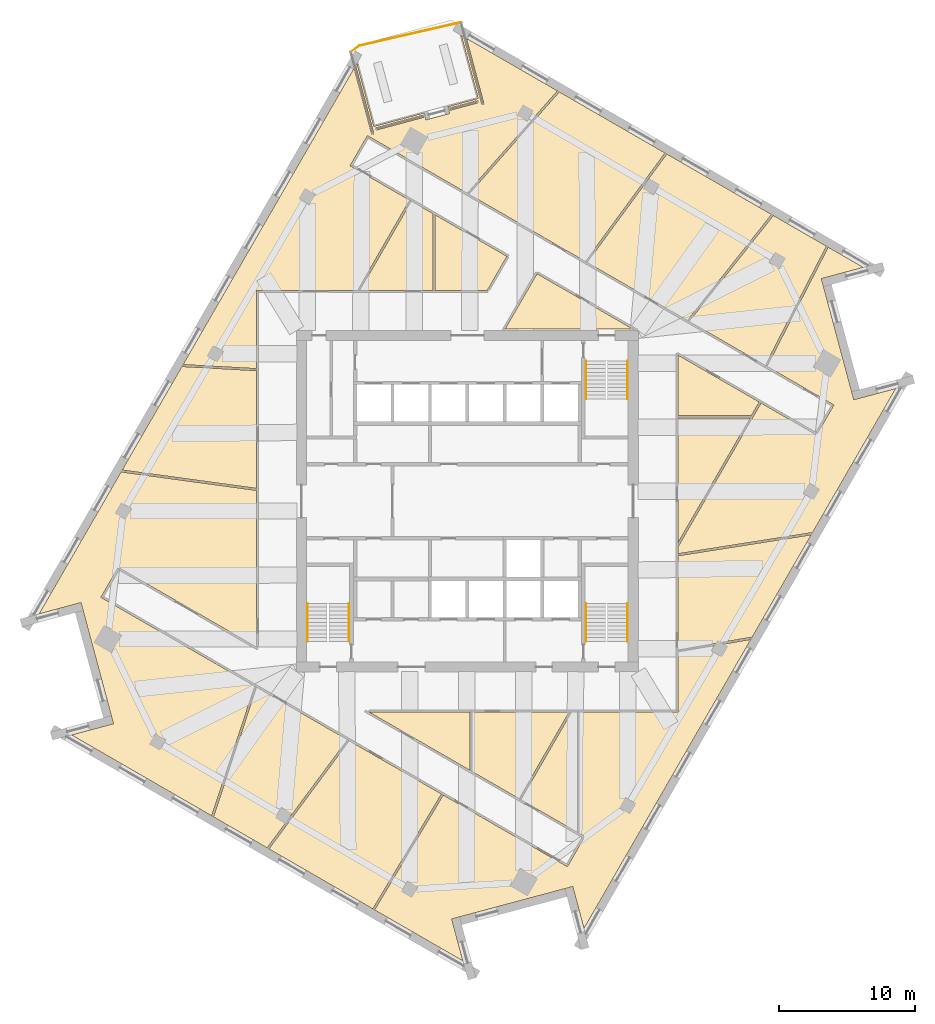
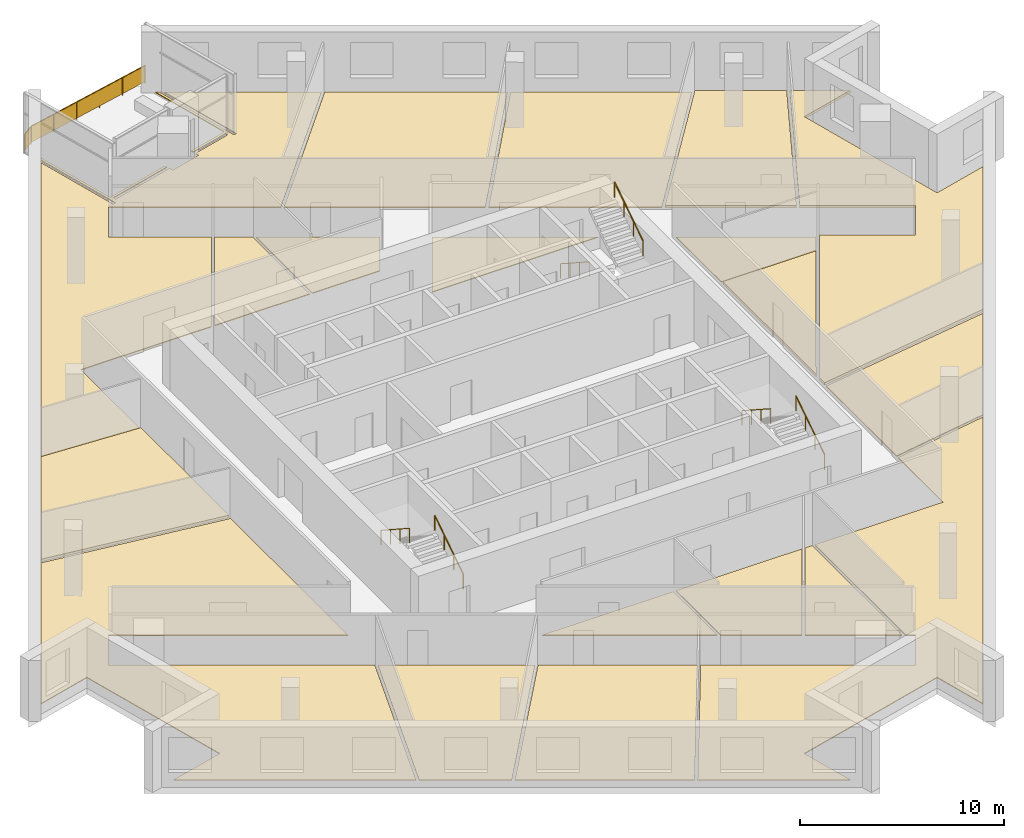
# One storey, part 12 of 13: 19 coverings, 7 railings.
"""IFC4 building model written with IfcOpenShell, lengths in metres."""

import ifcopenshell
import ifcopenshell.guid

model = None  # the IFC model being written
_history = None  # IfcOwnerHistory: only IFC2X3 demands one
_inside = {}  # id of a spatial element -> (the spatial element, [elements in it])
_under = {}  # id of a project, library or spatial element -> (it, [spatial elements below it])
_declared = {}  # id of a project -> (the project, [libraries it declares])
_typed = {}  # id of a type object -> (the type object, [elements of that type])
_made_of = {}  # id of a material, layer set ... -> (it, [elements and type objects made of it])


def new_model(schema):
    """Start an empty IFC model of exactly this schema.

    Asked for "IFC4X3", IfcOpenShell would pick the latest addendum, in which some entities
    have other attributes; the version numbers below select the first issue.
    IFC2X3 requires an IfcOwnerHistory on every rooted entity: one is made here for all.
    """
    global model, _history
    if schema == "IFC4X3":
        model = ifcopenshell.file(schema_version=(4, 3, 0, 0))
    else:
        model = ifcopenshell.file(schema=schema)
    _inside.clear()
    _under.clear()
    _declared.clear()
    _typed.clear()
    _made_of.clear()
    _history = None
    if model.schema == "IFC2X3":
        org = make("IfcOrganization", Name="unknown")
        user = make(
            "IfcPersonAndOrganization",
            ThePerson=make("IfcPerson", FamilyName="unknown"),
            TheOrganization=org,
        )
        app = make(
            "IfcApplication",
            ApplicationDeveloper=org,
            Version="unknown",
            ApplicationFullName="unknown",
            ApplicationIdentifier="unknown",
        )
        _history = make(
            "IfcOwnerHistory",
            OwningUser=user,
            OwningApplication=app,
            ChangeAction="ADDED",
            CreationDate=0,
        )
    return model


def make(cls, **values):
    """One entity of the class cls with the attributes given. An attribute that is None is left unset."""
    return model.create_entity(
        cls, **{name: value for name, value in values.items() if value is not None}
    )


def rooted(cls, **values):
    """An entity with a GlobalId (a new one), such as an element, a storey or a relation."""
    return make(cls, GlobalId=ifcopenshell.guid.new(), OwnerHistory=_history, **values)


def si_unit(unit_type, name, prefix=None):
    """IfcSIUnit, for example si_unit("LENGTHUNIT", "METRE", prefix="MILLI")."""
    return make("IfcSIUnit", UnitType=unit_type, Prefix=prefix, Name=name)


def assignment(units):
    """IfcUnitAssignment: the units of a project."""
    return None if units is None else make("IfcUnitAssignment", Units=units)


def point(xyz):
    """IfcCartesianPoint."""
    return None if xyz is None else make("IfcCartesianPoint", Coordinates=xyz)


def direction(xyz):
    """IfcDirection."""
    return None if xyz is None else make("IfcDirection", DirectionRatios=xyz)


def frame(location, z_axis=None, x_axis=None):
    """IfcAxis2Placement3D, a coordinate frame: its origin and axes. An axis left out is left unset."""
    return make(
        "IfcAxis2Placement3D",
        Location=point(location),
        Axis=direction(z_axis),
        RefDirection=direction(x_axis),
    )


def frame_2d(location, x_axis=None):
    """IfcAxis2Placement2D, a coordinate frame in the plane: its origin and x axis."""
    return make(
        "IfcAxis2Placement2D", Location=point(location), RefDirection=direction(x_axis)
    )


def origin():
    """The frame at (0, 0, 0) with its axes left unset."""
    return frame((0.0, 0.0, 0.0))


def origin_2d():
    """The frame at (0, 0) in the plane with its x axis left unset."""
    return frame_2d((0.0, 0.0))


def place(relative_to, where):
    """IfcLocalPlacement: puts the frame where relative to a parent placement (None: the world)."""
    return make(
        "IfcLocalPlacement", PlacementRelTo=relative_to, RelativePlacement=where
    )


def context(
    kind, dimensions, precision=None, world=None, true_north=None, identifier=None
):
    """IfcGeometricRepresentationContext, for example the 3D "Model" context."""
    return make(
        "IfcGeometricRepresentationContext",
        ContextIdentifier=identifier,
        ContextType=kind,
        CoordinateSpaceDimension=dimensions,
        Precision=precision,
        WorldCoordinateSystem=world,
        TrueNorth=true_north,
    )


def subcontext(parent, identifier, kind, view, scale=None):
    """IfcGeometricRepresentationSubContext, for example "Body" below "Model"."""
    return make(
        "IfcGeometricRepresentationSubContext",
        ContextIdentifier=identifier,
        ContextType=kind,
        ParentContext=parent,
        TargetScale=scale,
        TargetView=view,
    )


def project(units=None, contexts=None):
    """IfcProject with its units and contexts."""
    return rooted(
        "IfcProject",
        Name="project",
        RepresentationContexts=contexts,
        UnitsInContext=assignment(units),
    )


def spatial(cls, under=None, at=None, **own):
    """A site, building, storey or space (cls), placed at a placement, below another one or the project."""
    s = rooted(cls, ObjectPlacement=at, **own)
    if under is not None:
        _under.setdefault(under.id(), (under, []))[1].append(s)
    return s


def polyline(points):
    """IfcPolyline through the points."""
    return make("IfcPolyline", Points=[point(p) for p in points])


def profile(cls, at=None, kind="AREA", **sizes):
    """A parametric profile (cls). Its sizes go by their IFC names, for example OverallWidth=200.0."""
    return make(cls, ProfileType=kind, Position=at, **sizes)


def rectangle(**sizes):
    """IfcRectangleProfileDef."""
    return profile("IfcRectangleProfileDef", **sizes)


def circle(**sizes):
    """IfcCircleProfileDef."""
    return profile("IfcCircleProfileDef", **sizes)


def outline(outer, holes=None, kind="AREA"):
    """IfcArbitraryClosedProfileDef: a profile drawn as a closed curve; with holes, ...WithVoids."""
    if holes is None:
        return make("IfcArbitraryClosedProfileDef", ProfileType=kind, OuterCurve=outer)
    return make(
        "IfcArbitraryProfileDefWithVoids",
        ProfileType=kind,
        OuterCurve=outer,
        InnerCurves=holes,
    )


def extrude(swept, where, along, depth):
    """IfcExtrudedAreaSolid: the profile swept, set in the frame where, extruded along a direction by depth."""
    return make(
        "IfcExtrudedAreaSolid",
        SweptArea=swept,
        Position=where,
        ExtrudedDirection=direction(along),
        Depth=depth,
    )


def shape(context_of_items, identifier, shape_type, items):
    """IfcShapeRepresentation: the items that make up one representation, for example the "Body"."""
    return make(
        "IfcShapeRepresentation",
        ContextOfItems=context_of_items,
        RepresentationIdentifier=identifier,
        RepresentationType=shape_type,
        Items=items,
    )


def material(Name=None, Category=None):
    """IfcMaterial."""
    return make("IfcMaterial", Name=Name, Category=Category)


def layer(
    of_material, thickness, ventilated=None, Name=None, Category=None, Priority=None
):
    """IfcMaterialLayer: one layer of a wall or slab, of a material (None: an air gap)."""
    return make(
        "IfcMaterialLayer",
        Material=of_material,
        LayerThickness=thickness,
        IsVentilated=ventilated,
        Name=Name,
        Category=Category,
        Priority=Priority,
    )


def layer_set(layers, Name=None):
    """IfcMaterialLayerSet."""
    return make("IfcMaterialLayerSet", MaterialLayers=layers, LayerSetName=Name)


def made_of(thing, what):
    """Note that an element or type object is made of a material, layer set ...; save() writes the relation."""
    if what is not None:
        _made_of.setdefault(what.id(), (what, []))[1].append(thing)
    return thing


def type_object(cls, material=None, **own):
    """A type object (cls), such as IfcWallType, which elements share."""
    return made_of(rooted(cls, **own), material)


def element(
    cls,
    number,
    at=None,
    inside=None,
    cuts=None,
    type_object=None,
    material=None,
    context=None,
    identifier="Body",
    shape_type=None,
    held_by="IfcProductDefinitionShape",
    body=None,
    shapes=None,
    **own,
):
    """One element of the class cls, such as IfcWall. Its Tag is "e" and its number.

    at: its placement. inside: the storey or other place that contains it. cuts: it is an
    opening in that element (IfcRelVoidsElement). A single representation is given by context,
    identifier, shape_type and body (its items); several are given by shapes. held_by: the class
    of the entity that holds the representations. save() writes the other relations.
    """
    e = rooted(cls, Tag="e%d" % number, ObjectPlacement=at, **own)
    if body is not None:
        shapes = [shape(context, identifier, shape_type, body)]
    if shapes is not None:
        e.Representation = make(held_by, Representations=shapes)
    if inside is not None:
        _inside.setdefault(inside.id(), (inside, []))[1].append(e)
    if cuts is not None:
        rooted(
            "IfcRelVoidsElement", RelatingBuildingElement=cuts, RelatedOpeningElement=e
        )
    if type_object is not None:
        _typed.setdefault(type_object.id(), (type_object, []))[1].append(e)
    return made_of(e, material)


def aggregate(whole, parts):
    """IfcRelAggregates: a whole, such as a stair, and the parts it consists of."""
    return rooted("IfcRelAggregates", RelatingObject=whole, RelatedObjects=parts)


def save(model, path):
    """Write the relations noted so far, then the file.

    IfcRelAggregates (storeys below a building ...), IfcRelContainedInSpatialStructure (elements
    in a storey), IfcRelDefinesByType, IfcRelAssociatesMaterial and IfcRelDeclares: one each for
    every whole, place, type object, material and project.
    """
    for whole, parts in _under.values():
        aggregate(whole, parts)
    for where, things in _inside.values():
        rooted(
            "IfcRelContainedInSpatialStructure",
            RelatedElements=things,
            RelatingStructure=where,
        )
    for kind, things in _typed.values():
        rooted("IfcRelDefinesByType", RelatedObjects=things, RelatingType=kind)
    for what, things in _made_of.values():
        rooted("IfcRelAssociatesMaterial", RelatedObjects=things, RelatingMaterial=what)
    for by, libraries in _declared.values():
        rooted("IfcRelDeclares", RelatingContext=by, RelatedDefinitions=libraries)
    model.write(path)


model = new_model("IFC4")

# Units and contexts
model_context = context("Model", 3, precision=1e-05, world=origin(), true_north=direction((0.0, 1.0)))
body_context = subcontext(model_context, "Body", "Model", "MODEL_VIEW")
ifc_project = project(units=[si_unit("LENGTHUNIT", "METRE"), si_unit("AREAUNIT", "SQUARE_METRE"), si_unit("VOLUMEUNIT", "CUBIC_METRE"), si_unit("PLANEANGLEUNIT", "RADIAN"), si_unit("MASSUNIT", "GRAM", prefix="KILO")], contexts=[model_context])

# Site, building, storey
site_placement = place(None, origin())
site = spatial("IfcSite", under=ifc_project, at=site_placement, CompositionType="ELEMENT")
building_placement = place(site_placement, origin())
building = spatial("IfcBuilding", under=site, at=building_placement, Name="Dilmun Exchange Tower", CompositionType="ELEMENT")
storey_placement = place(building_placement, frame((0.0, 0.0, 262.89990234375)))
storey = spatial("IfcBuildingStorey", under=building, at=storey_placement, Name="L62", CompositionType="ELEMENT", Elevation=262.89990234375)

# Coverings
ifc_material_1 = material(Name="Carpet floor finish 50")
ifc_layer_1 = layer(ifc_material_1, 0.050048828125)
ifc_layer_set_1 = layer_set([ifc_layer_1], Name="Carpet floor finish 50")
covering_type_1 = type_object("IfcCoveringType", Name="Carpet floor finish 50", PredefinedType="FLOORING", material=ifc_layer_set_1)
covering_1_placement = place(storey_placement, origin())
element("IfcCovering", 1, at=covering_1_placement, inside=storey, type_object=covering_type_1, Name="Carpet floor finish 50 Supervision hall", PredefinedType="FLOORING", context=body_context, shape_type="SweptSolid", body=[
    extrude(outline(polyline([(-15.47509765625, 0.7880859375), (-15.47509765625, -10.720703125), (-25.63671875, -4.853759765625), (-26.91162109375, -7.062255859375), (-15.615234375, -13.583984375), (-18.777587890625, -23.1044921875), (-29.066162109375, -17.16455078125), (-25.992431640625, -16.3408203125), (-25.9921875, -16.3408203125), (-25.9921875, -16.3408203125), (-25.991943359375, -16.3408203125), (-25.99169921875, -16.340576171875), (-25.99169921875, -16.34033203125), (-25.991455078125, -16.34033203125), (-25.9912109375, -16.340087890625), (-25.9912109375, -16.340087890625), (-25.9912109375, -16.33984375), (-25.9912109375, -16.339599609375), (-25.990966796875, -16.33935546875), (-25.990966796875, -16.339111328125), (-25.990966796875, -16.339111328125), (-25.990966796875, -16.3388671875), (-25.990966796875, -16.338623046875), (-25.990966796875, -16.33837890625), (-26.146240234375, -15.7587890625), (-28.216796875, -8.031982421875), (-28.216796875, -8.031982421875), (-28.216796875, -8.03173828125), (-28.216796875, -8.03173828125), (-28.216796875, -8.031494140625), (-28.3720703125, -7.451904296875), (-28.372314453125, -7.45166015625), (-28.372314453125, -7.451416015625), (-28.372314453125, -7.451416015625), (-28.37255859375, -7.451171875), (-28.37255859375, -7.451171875), (-28.372802734375, -7.450927734375), (-28.372802734375, -7.45068359375), (-28.373046875, -7.45068359375), (-28.373291015625, -7.45068359375), (-28.373291015625, -7.450439453125), (-28.37353515625, -7.450439453125), (-28.373779296875, -7.450439453125), (-28.3740234375, -7.450439453125), (-28.374267578125, -7.450439453125), (-28.37451171875, -7.450439453125), (-28.37451171875, -7.450439453125), (-31.448486328125, -8.274169921875), (-25.431396484375, 2.147216796875), (-15.47509765625, 0.7880859375)])), origin(), (0.0, 0.0, 1.0), 0.050048828125),
])
covering_2_placement = place(storey_placement, origin())
element("IfcCovering", 2, at=covering_2_placement, inside=storey, type_object=covering_type_1, Name="Carpet floor finish 50 Research library 1", PredefinedType="FLOORING", context=body_context, shape_type="SweptSolid", body=[
    extrude(outline(polyline([(-8.67822265625, -17.589111328125), (-1.904052734375, -21.500244140625), (-6.943359375, -29.93701171875), (-14.57421875, -25.531494140625), (-8.67822265625, -17.589111328125)])), origin(), (0.0, 0.0, 1.0), 0.050048828125),
])
covering_3_placement = place(storey_placement, origin())
element("IfcCovering", 3, at=covering_3_placement, inside=storey, type_object=covering_type_1, Name="Carpet floor finish 50 Garden lounge", PredefinedType="FLOORING", context=body_context, shape_type="SweptSolid", body=[
    extrude(outline(polyline([(-0.0283203125, 22.615966796875), (-7.339599609375, 26.837158203125), (-8.61474609375, 24.62890625), (-4.244140625, 22.10546875), (-8.072021484375, 15.47509765625), (-15.47509765625, 15.47509765625), (-15.47509765625, 9.73193359375), (-20.879638671875, 10.031494140625), (-8.32470703125, 31.77734375), (-7.027099609375, 26.935302734375), (-7.027099609375, 26.93505859375), (-7.027099609375, 26.934814453125), (-7.02685546875, 26.9345703125), (-7.02685546875, 26.9345703125), (-7.026611328125, 26.934326171875), (-7.026611328125, 26.93408203125), (-7.0263671875, 26.93408203125), (-7.026123046875, 26.93408203125), (-7.02587890625, 26.933837890625), (-7.02587890625, 26.933837890625), (-7.025634765625, 26.93359375), (-7.025390625, 26.93359375), (-7.025146484375, 26.93359375), (-7.02490234375, 26.93359375), (-7.02490234375, 26.93359375), (-7.024658203125, 26.933837890625), (-6.8701171875, 26.97509765625), (-6.869873046875, 26.97509765625), (-6.86962890625, 26.975341796875), (-6.86962890625, 26.975341796875), (-6.869384765625, 26.9755859375), (-6.869384765625, 26.9755859375), (-6.869140625, 26.975830078125), (-6.868896484375, 26.975830078125), (-6.868896484375, 26.97607421875), (-6.868896484375, 26.976318359375), (-6.86865234375, 26.9765625), (-6.86865234375, 26.976806640625), (-6.86865234375, 26.976806640625), (-6.86865234375, 26.97705078125), (-6.86865234375, 26.977294921875), (-6.86865234375, 26.977294921875), (-6.86865234375, 26.9775390625), (-8.20849609375, 31.978271484375), (-8.107421875, 32.1533203125), (-6.866455078125, 27.521728515625), (-3.184326171875, 28.50830078125), (-3.147216796875, 28.3701171875), (-6.7568359375, 27.403076171875), (-6.757080078125, 27.40283203125), (-6.75732421875, 27.40283203125), (-6.757568359375, 27.40283203125), (-6.757568359375, 27.402587890625), (-6.7578125, 27.402587890625), (-6.7578125, 27.40234375), (-6.758056640625, 27.402099609375), (-6.758056640625, 27.402099609375), (-6.75830078125, 27.40185546875), (-6.75830078125, 27.401611328125), (-6.75830078125, 27.401611328125), (-6.75830078125, 27.4013671875), (-6.75830078125, 27.401123046875), (-6.75830078125, 27.40087890625), (-6.75830078125, 27.400634765625), (-6.75830078125, 27.400634765625), (-6.716796875, 27.24609375), (-6.716796875, 27.245849609375), (-6.716796875, 27.24560546875), (-6.716796875, 27.24560546875), (-6.716552734375, 27.245361328125), (-6.716552734375, 27.2451171875), (-6.71630859375, 27.2451171875), (-6.71630859375, 27.244873046875), (-6.716064453125, 27.244873046875), (-6.7158203125, 27.24462890625), (-6.715576171875, 27.24462890625), (-6.71533203125, 27.24462890625), (-6.71533203125, 27.244384765625), (-6.715087890625, 27.244384765625), (-6.71484375, 27.244384765625), (-6.714599609375, 27.24462890625), (-6.714599609375, 27.24462890625), (-3.104736328125, 28.2119140625), (-3.04833984375, 28.001220703125), (-3.04833984375, 28.0009765625), (-3.048095703125, 28.000732421875), (-3.048095703125, 28.000732421875), (-3.048095703125, 28.00048828125), (-3.0478515625, 28.00048828125), (-3.0478515625, 28.000244140625), (-3.047607421875, 28.0), (-3.047607421875, 28.0), (-3.04736328125, 28.0), (-3.047119140625, 27.999755859375), (-3.046875, 27.999755859375), (-3.046630859375, 27.999755859375), (-3.04638671875, 27.999755859375), (-3.04638671875, 27.999755859375), (-3.046142578125, 27.999755859375), (-3.0458984375, 27.999755859375), (-1.30712890625, 28.4658203125), (-1.306884765625, 28.4658203125), (-1.306884765625, 28.4658203125), (-1.306640625, 28.4658203125), (-1.306396484375, 28.466064453125), (-1.306396484375, 28.46630859375), (-1.30615234375, 28.46630859375), (-1.30615234375, 28.466552734375), (-1.305908203125, 28.466552734375), (-1.305908203125, 28.466796875), (-1.305908203125, 28.467041015625), (-1.305908203125, 28.46728515625), (-1.305908203125, 28.46728515625), (-1.305908203125, 28.467529296875), (-1.305908203125, 28.4677734375), (-1.305908203125, 28.468017578125), (-1.305908203125, 28.468017578125), (-1.3623046875, 28.6787109375), (0.798583984375, 29.2578125), (0.798828125, 29.2578125), (0.799072265625, 29.2578125), (0.79931640625, 29.2578125), (0.79931640625, 29.258056640625), (0.799560546875, 29.25830078125), (0.799560546875, 29.25830078125), (0.7998046875, 29.258544921875), (0.7998046875, 29.258544921875), (0.7998046875, 29.2587890625), (0.800048828125, 29.259033203125), (0.800048828125, 29.25927734375), (0.800048828125, 29.259521484375), (0.800048828125, 29.259521484375), (0.800048828125, 29.259765625), (0.800048828125, 29.260009765625), (0.800048828125, 29.260009765625), (0.758544921875, 29.414794921875), (0.758544921875, 29.414794921875), (0.758544921875, 29.4150390625), (0.75830078125, 29.415283203125), (0.75830078125, 29.415283203125), (0.75830078125, 29.41552734375), (0.758056640625, 29.415771484375), (0.7578125, 29.415771484375), (0.7578125, 29.416015625), (0.757568359375, 29.416015625), (0.75732421875, 29.416015625), (0.757080078125, 29.416015625), (0.757080078125, 29.416259765625), (0.7568359375, 29.416259765625), (0.756591796875, 29.416259765625), (0.75634765625, 29.416015625), (0.756103515625, 29.416015625), (-1.40478515625, 28.837158203125), (-1.441650390625, 28.975341796875), (0.79150390625, 29.57373046875), (-0.449462890625, 34.205322265625), (-0.2744140625, 34.104248046875), (1.065673828125, 29.103515625), (1.065673828125, 29.103515625), (1.065673828125, 29.103271484375), (1.06591796875, 29.10302734375), (1.06591796875, 29.102783203125), (1.066162109375, 29.102783203125), (1.066162109375, 29.1025390625), (1.06640625, 29.1025390625), (1.06640625, 29.102294921875), (1.066650390625, 29.102294921875), (1.06689453125, 29.102294921875), (1.067138671875, 29.10205078125), (1.0673828125, 29.10205078125), (1.0673828125, 29.10205078125), (1.067626953125, 29.10205078125), (1.06787109375, 29.10205078125), (1.068115234375, 29.102294921875), (1.22265625, 29.1435546875), (1.222900390625, 29.1435546875), (1.222900390625, 29.143798828125), (1.22314453125, 29.143798828125), (1.223388671875, 29.143798828125), (1.223388671875, 29.14404296875), (1.2236328125, 29.144287109375), (1.2236328125, 29.144287109375), (1.223876953125, 29.14453125), (1.223876953125, 29.144775390625), (1.22412109375, 29.14501953125), (1.22412109375, 29.14501953125), (1.22412109375, 29.145263671875), (1.22412109375, 29.1455078125), (1.22412109375, 29.1455078125), (1.22412109375, 29.145751953125), (1.22412109375, 29.14599609375), (-0.073486328125, 33.98828125), (6.613525390625, 30.127685546875), (-0.0283203125, 22.615966796875)])), origin(), (0.0, 0.0, 1.0), 0.050048828125),
])
covering_4_placement = place(storey_placement, origin())
element("IfcCovering", 4, at=covering_4_placement, inside=storey, type_object=covering_type_1, Name="Carpet floor finish 50 Meeting room 1", PredefinedType="FLOORING", context=body_context, shape_type="SweptSolid", body=[
    extrude(outline(polyline([(-4.114013671875, 22.030517578125), (-2.516357421875, 21.10791015625), (-2.516357421875, 15.47509765625), (-7.89892578125, 15.47509765625), (-4.114013671875, 22.030517578125)])), origin(), (0.0, 0.0, 1.0), 0.050048828125),
])
covering_5_placement = place(storey_placement, origin())
element("IfcCovering", 5, at=covering_5_placement, inside=storey, type_object=covering_type_1, Name="Carpet floor finish 50 Meeting room 2", PredefinedType="FLOORING", context=body_context, shape_type="SweptSolid", body=[
    extrude(outline(polyline([(0.203125, -15.47509765625), (0.203125, -19.7724609375), (-7.240234375, -15.47509765625), (0.203125, -15.47509765625)])), origin(), (0.0, 0.0, 1.0), 0.050048828125),
])
covering_6_placement = place(storey_placement, origin())
element("IfcCovering", 6, at=covering_6_placement, inside=storey, type_object=covering_type_1, Name="Carpet floor finish 50 Research library 2", PredefinedType="FLOORING", context=body_context, shape_type="SweptSolid", body=[
    extrude(outline(polyline([(-1.77392578125, -21.575439453125), (7.339599609375, -26.837158203125), (8.61474609375, -24.62890625), (8.21044921875, -24.3955078125), (8.21044921875, -15.47509765625), (15.47509765625, -15.47509765625), (15.47509765625, -11.0693359375), (20.81201171875, -10.148681640625), (8.55859375, -31.3720703125), (7.73486328125, -28.29833984375), (7.73486328125, -28.298095703125), (7.73486328125, -28.298095703125), (7.734619140625, -28.2978515625), (7.734619140625, -28.297607421875), (7.734375, -28.297607421875), (7.734375, -28.29736328125), (7.734130859375, -28.29736328125), (7.73388671875, -28.297119140625), (7.73388671875, -28.297119140625), (7.733642578125, -28.297119140625), (7.7333984375, -28.297119140625), (7.733154296875, -28.297119140625), (7.73291015625, -28.297119140625), (7.73291015625, -28.297119140625), (7.732666015625, -28.297119140625), (7.732421875, -28.297119140625), (7.15283203125, -28.452392578125), (-0.574462890625, -30.522705078125), (-0.57470703125, -30.522705078125), (-0.57470703125, -30.52294921875), (-0.57470703125, -30.52294921875), (-1.154052734375, -30.677978515625), (-1.154296875, -30.67822265625), (-1.154296875, -30.67822265625), (-1.154541015625, -30.67822265625), (-1.15478515625, -30.678466796875), (-1.15478515625, -30.6787109375), (-1.155029296875, -30.6787109375), (-1.155029296875, -30.678955078125), (-1.1552734375, -30.678955078125), (-1.1552734375, -30.67919921875), (-1.155517578125, -30.679443359375), (-1.155517578125, -30.6796875), (-1.155517578125, -30.6796875), (-1.155517578125, -30.679931640625), (-1.155517578125, -30.68017578125), (-1.155517578125, -30.680419921875), (-1.155517578125, -30.6806640625), (-0.331787109375, -33.75439453125), (-6.8134765625, -30.01220703125), (-1.77392578125, -21.575439453125)])), origin(), (0.0, 0.0, 1.0), 0.050048828125),
])
covering_7_placement = place(storey_placement, origin())
element("IfcCovering", 7, at=covering_7_placement, inside=storey, type_object=covering_type_1, Name="Carpet floor finish 50 Research library 3", PredefinedType="FLOORING", context=body_context, shape_type="SweptSolid", body=[
    extrude(outline(polyline([(0.104248046875, 22.53955078125), (6.74609375, 30.051025390625), (14.50927734375, 25.569091796875), (8.65966796875, 17.599853515625), (0.104248046875, 22.53955078125)])), origin(), (0.0, 0.0, 1.0), 0.050048828125),
])
covering_8_placement = place(storey_placement, origin())
element("IfcCovering", 8, at=covering_8_placement, inside=storey, type_object=covering_type_1, Name="Carpet floor finish 50 Regulator office", PredefinedType="FLOORING", context=body_context, shape_type="SweptSolid", body=[
    extrude(outline(polyline([(16.15283203125, 13.273681640625), (8.790283203125, 17.5244140625), (14.639892578125, 25.49365234375), (22.335693359375, 21.050537109375), (16.15283203125, 13.273681640625)])), origin(), (0.0, 0.0, 1.0), 0.050048828125),
])
covering_9_placement = place(storey_placement, origin())
element("IfcCovering", 9, at=covering_9_placement, inside=storey, type_object=covering_type_1, Name="Carpet floor finish 50 Training room", PredefinedType="FLOORING", context=body_context, shape_type="SweptSolid", body=[
    extrude(outline(polyline([(15.47509765625, -10.9169921875), (15.47509765625, -4.0087890625), (25.245361328125, -2.469970703125), (20.90966796875, -9.9794921875), (15.47509765625, -10.9169921875)])), origin(), (0.0, 0.0, 1.0), 0.050048828125),
])
ifc_material_2 = material(Name="Raised access floor 150")
ifc_layer_2 = layer(ifc_material_2, 0.14990234375)
ifc_layer_set_2 = layer_set([ifc_layer_2], Name="Raised access floor 150")
covering_type_2 = type_object("IfcCoveringType", Name="Raised access floor 150", PredefinedType="FLOORING", material=ifc_layer_set_2)
covering_10_placement = place(storey_placement, origin())
element("IfcCovering", 10, at=covering_10_placement, inside=storey, type_object=covering_type_2, Name="Raised access floor 150 Analytics room 1", PredefinedType="FLOORING", context=body_context, shape_type="SweptSolid", body=[
    extrude(outline(polyline([(-15.47509765625, 9.581787109375), (-15.47509765625, 0.939453125), (-25.3505859375, 2.28759765625), (-20.963623046875, 9.885986328125), (-15.47509765625, 9.581787109375)])), origin(), (0.0, 0.0, 1.0), 0.150146484375),
])
covering_11_placement = place(storey_placement, origin())
element("IfcCovering", 11, at=covering_11_placement, inside=storey, type_object=covering_type_2, Name="Raised access floor 150 Data room", PredefinedType="FLOORING", context=body_context, shape_type="SweptSolid", body=[
    extrude(outline(polyline([(20.762451171875, 6.125244140625), (15.47509765625, -3.032958984375), (15.47509765625, 6.125244140625), (20.762451171875, 6.125244140625)])), origin(), (0.0, 0.0, 1.0), 0.150146484375),
])
covering_12_placement = place(storey_placement, origin())
element("IfcCovering", 12, at=covering_12_placement, inside=storey, type_object=covering_type_2, Name="Raised access floor 150 Analytics room 2", PredefinedType="FLOORING", context=body_context, shape_type="SweptSolid", body=[
    extrude(outline(polyline([(21.869873046875, 9.972900390625), (16.2841796875, 13.197998046875), (22.466796875, 20.974609375), (26.36181640625, 18.725830078125), (21.869873046875, 9.972900390625)])), origin(), (0.0, 0.0, 1.0), 0.150146484375),
])
covering_13_placement = place(storey_placement, origin())
element("IfcCovering", 13, at=covering_13_placement, inside=storey, type_object=covering_type_2, Name="Raised access floor 150 Analytics room 3", PredefinedType="FLOORING", context=body_context, shape_type="SweptSolid", body=[
    extrude(outline(polyline([(25.63671875, 4.853759765625), (26.91162109375, 7.062255859375), (22.0, 9.89794921875), (26.491943359375, 18.65087890625), (29.066162109375, 17.16455078125), (25.992431640625, 16.3408203125), (25.9921875, 16.3408203125), (25.9921875, 16.3408203125), (25.991943359375, 16.3408203125), (25.99169921875, 16.340576171875), (25.99169921875, 16.34033203125), (25.991455078125, 16.34033203125), (25.9912109375, 16.340087890625), (25.9912109375, 16.340087890625), (25.9912109375, 16.33984375), (25.9912109375, 16.339599609375), (25.990966796875, 16.33935546875), (25.990966796875, 16.339111328125), (25.990966796875, 16.339111328125), (25.990966796875, 16.3388671875), (25.990966796875, 16.338623046875), (25.990966796875, 16.33837890625), (26.146240234375, 15.7587890625), (28.216796875, 8.031982421875), (28.216796875, 8.031982421875), (28.216796875, 8.03173828125), (28.216796875, 8.03173828125), (28.216796875, 8.031494140625), (28.3720703125, 7.451904296875), (28.372314453125, 7.45166015625), (28.372314453125, 7.451416015625), (28.372314453125, 7.451416015625), (28.37255859375, 7.451171875), (28.37255859375, 7.451171875), (28.372802734375, 7.450927734375), (28.372802734375, 7.45068359375), (28.373046875, 7.45068359375), (28.373291015625, 7.45068359375), (28.373291015625, 7.450439453125), (28.37353515625, 7.450439453125), (28.373779296875, 7.450439453125), (28.3740234375, 7.450439453125), (28.374267578125, 7.450439453125), (28.37451171875, 7.450439453125), (28.37451171875, 7.450439453125), (31.448486328125, 8.274169921875), (25.341796875, -2.302978515625), (15.47509765625, -3.856689453125), (15.47509765625, -3.3330078125), (21.560302734375, 7.207275390625), (25.63671875, 4.853759765625)])), origin(), (0.0, 0.0, 1.0), 0.150146484375),
])

# Railings
ifc_material_3 = material(Name="Stainless steel", Category="steel")
railing_type_1 = type_object("IfcRailingType", Name="Stair handrail 900", PredefinedType="HANDRAIL", material=ifc_material_3)
railing_1_placement = place(storey_placement, frame((8.699951171875, 10.300048828125, 0.181884765625)))
element("IfcRailing", 14, at=railing_1_placement, inside=storey, type_object=railing_type_1, Name="L62 ST1 stair handrail 1", PredefinedType="HANDRAIL", context=body_context, shape_type="SweptSolid", body=[
    extrude(circle(Radius=0.02392578125, at=origin_2d()), frame((0.0, 0.0, 0.8759765625), z_axis=(0.0, -0.838705829183, 0.544584733623), x_axis=(1.0, 0.0, 0.0)), (0.0, 0.0, 1.0), 3.338623046875),
    extrude(circle(Radius=0.02099609375, at=origin_2d()), origin(), (0.0, 0.0, 1.0), 0.851806640625),
    extrude(circle(Radius=0.02099609375, at=origin_2d()), frame((0.0, -0.933349609375, 0.60595703125)), (0.0, 0.0, 1.0), 0.851806640625),
    extrude(circle(Radius=0.02099609375, at=origin_2d()), frame((0.0, -1.86669921875, 1.212158203125)), (0.0, 0.0, 1.0), 0.851806640625),
    extrude(circle(Radius=0.02099609375, at=origin_2d()), frame((0.0, -2.800048828125, 1.818115234375)), (0.0, 0.0, 1.0), 0.851806640625),
])
for number, where, name in (
    (15, (11.75, 7.5, 2.181884765625), "L62 ST1 stair handrail 2"),
    (16, (-8.699951171875, -10.300048828125, 0.181884765625), "L62 ST2 stair handrail 1"),
):
    element("IfcRailing", number, at=place(storey_placement, frame(where)), inside=storey, type_object=railing_type_1, Name=name, PredefinedType="HANDRAIL", context=body_context, shape_type="SweptSolid", body=[
        extrude(circle(Radius=0.02392578125, at=origin_2d()), frame((0.0, 0.0, 0.8759765625), z_axis=(0.0, 0.838705829183, 0.544584733623), x_axis=(-1.0, 0.0, 0.0)), (0.0, 0.0, 1.0), 3.338623046875),
        extrude(circle(Radius=0.02099609375, at=origin_2d()), origin(), (0.0, 0.0, 1.0), 0.851806640625),
        extrude(circle(Radius=0.02099609375, at=origin_2d()), frame((0.0, 0.933349609375, 0.60595703125)), (0.0, 0.0, 1.0), 0.851806640625),
        extrude(circle(Radius=0.02099609375, at=origin_2d()), frame((0.0, 1.86669921875, 1.212158203125)), (0.0, 0.0, 1.0), 0.851806640625),
        extrude(circle(Radius=0.02099609375, at=origin_2d()), frame((0.0, 2.800048828125, 1.818115234375)), (0.0, 0.0, 1.0), 0.851806640625),
    ])
railing_2_placement = place(storey_placement, frame((-11.75, -7.5, 2.181884765625)))
element("IfcRailing", 17, at=railing_2_placement, inside=storey, type_object=railing_type_1, Name="L62 ST2 stair handrail 2", PredefinedType="HANDRAIL", context=body_context, shape_type="SweptSolid", body=[
    extrude(circle(Radius=0.02392578125, at=origin_2d()), frame((0.0, 0.0, 0.8759765625), z_axis=(0.0, -0.838705829183, 0.544584733623), x_axis=(1.0, 0.0, 0.0)), (0.0, 0.0, 1.0), 3.338623046875),
    extrude(circle(Radius=0.02099609375, at=origin_2d()), origin(), (0.0, 0.0, 1.0), 0.851806640625),
    extrude(circle(Radius=0.02099609375, at=origin_2d()), frame((0.0, -0.933349609375, 0.60595703125)), (0.0, 0.0, 1.0), 0.851806640625),
    extrude(circle(Radius=0.02099609375, at=origin_2d()), frame((0.0, -1.86669921875, 1.212158203125)), (0.0, 0.0, 1.0), 0.851806640625),
    extrude(circle(Radius=0.02099609375, at=origin_2d()), frame((0.0, -2.800048828125, 1.818115234375)), (0.0, 0.0, 1.0), 0.851806640625),
])
railing_3_placement = place(storey_placement, frame((11.75, -10.300048828125, 0.181884765625)))
element("IfcRailing", 18, at=railing_3_placement, inside=storey, type_object=railing_type_1, Name="L62 ST3 stair handrail 1", PredefinedType="HANDRAIL", context=body_context, shape_type="SweptSolid", body=[
    extrude(circle(Radius=0.02392578125, at=origin_2d()), frame((0.0, 0.0, 0.8759765625), z_axis=(0.0, 0.838705829183, 0.544584733623), x_axis=(-1.0, 0.0, 0.0)), (0.0, 0.0, 1.0), 3.338623046875),
    extrude(circle(Radius=0.02099609375, at=origin_2d()), origin(), (0.0, 0.0, 1.0), 0.851806640625),
    extrude(circle(Radius=0.02099609375, at=origin_2d()), frame((0.0, 0.933349609375, 0.60595703125)), (0.0, 0.0, 1.0), 0.851806640625),
    extrude(circle(Radius=0.02099609375, at=origin_2d()), frame((0.0, 1.86669921875, 1.212158203125)), (0.0, 0.0, 1.0), 0.851806640625),
    extrude(circle(Radius=0.02099609375, at=origin_2d()), frame((0.0, 2.800048828125, 1.818115234375)), (0.0, 0.0, 1.0), 0.851806640625),
])
railing_4_placement = place(storey_placement, frame((8.699951171875, -7.5, 2.181884765625)))
element("IfcRailing", 19, at=railing_4_placement, inside=storey, type_object=railing_type_1, Name="L62 ST3 stair handrail 2", PredefinedType="HANDRAIL", context=body_context, shape_type="SweptSolid", body=[
    extrude(circle(Radius=0.02392578125, at=origin_2d()), frame((0.0, 0.0, 0.8759765625), z_axis=(0.0, -0.838705829183, 0.544584733623), x_axis=(1.0, 0.0, 0.0)), (0.0, 0.0, 1.0), 3.338623046875),
    extrude(circle(Radius=0.02099609375, at=origin_2d()), origin(), (0.0, 0.0, 1.0), 0.851806640625),
    extrude(circle(Radius=0.02099609375, at=origin_2d()), frame((0.0, -0.933349609375, 0.60595703125)), (0.0, 0.0, 1.0), 0.851806640625),
    extrude(circle(Radius=0.02099609375, at=origin_2d()), frame((0.0, -1.86669921875, 1.212158203125)), (0.0, 0.0, 1.0), 0.851806640625),
    extrude(circle(Radius=0.02099609375, at=origin_2d()), frame((0.0, -2.800048828125, 1.818115234375)), (0.0, 0.0, 1.0), 0.851806640625),
])

# Coverings
ifc_material_4 = material(Name="Stone floor finish 50", Category="masonry")
ifc_layer_3 = layer(ifc_material_4, 0.050048828125)
ifc_layer_set_3 = layer_set([ifc_layer_3], Name="Stone floor finish 50")
covering_type_3 = type_object("IfcCoveringType", Name="Stone floor finish 50", PredefinedType="FLOORING", material=ifc_layer_set_3)
covering_14_placement = place(storey_placement, origin())
element("IfcCovering", 20, at=covering_14_placement, inside=storey, type_object=covering_type_3, Name="Stone floor finish 50 Reception 1", PredefinedType="FLOORING", context=body_context, shape_type="SweptSolid", body=[
    extrude(outline(polyline([(-15.482666015625, -13.66064453125), (-8.80908203125, -17.513671875), (-14.705078125, -25.4560546875), (-18.64501953125, -23.18115234375), (-15.482666015625, -13.66064453125)])), origin(), (0.0, 0.0, 1.0), 0.050048828125),
])
covering_15_placement = place(storey_placement, origin())
element("IfcCovering", 21, at=covering_15_placement, inside=storey, type_object=covering_type_3, Name="Stone floor finish 50 Reception 2", PredefinedType="FLOORING", context=body_context, shape_type="SweptSolid", body=[
    extrude(outline(polyline([(-2.366455078125, 21.021240234375), (2.903564453125, 17.978759765625), (1.4580078125, 15.47509765625), (-2.366455078125, 15.47509765625), (-2.366455078125, 21.021240234375)])), origin(), (0.0, 0.0, 1.0), 0.050048828125),
])
covering_16_placement = place(storey_placement, origin())
element("IfcCovering", 22, at=covering_16_placement, inside=storey, type_object=covering_type_3, Name="Stone floor finish 50 Reception 3", PredefinedType="FLOORING", context=body_context, shape_type="SweptSolid", body=[
    extrude(outline(polyline([(8.060546875, -15.47509765625), (8.060546875, -24.308837890625), (3.927490234375, -21.922607421875), (7.64990234375, -15.47509765625), (8.060546875, -15.47509765625)])), origin(), (0.0, 0.0, 1.0), 0.050048828125),
])

# Railing
railing_type_2 = type_object("IfcRailingType", Name="Terrace guard 1100 stainless steel", PredefinedType="GUARDRAIL", material=ifc_material_3)
railing_5_placement = place(storey_placement, frame((-8.564697265625, 32.989990234375, 0.0)))
element("IfcRailing", 23, at=railing_5_placement, inside=storey, type_object=railing_type_2, Name="Terrace guard 1", PredefinedType="GUARDRAIL", context=body_context, shape_type="SweptSolid", body=[
    extrude(circle(Radius=0.02392578125, at=origin_2d()), frame((0.0, 0.0, 1.076171875), z_axis=(0.815970116791, 0.578094082744, 0.0), x_axis=(-0.578094082744, 0.815970116791, 0.0)), (0.0, 0.0, 1.0), 0.79443359375),
    extrude(rectangle(XDim=0.011962890625, YDim=0.951904296875, at=origin_2d()), frame((0.0, 0.0, 0.576171875), z_axis=(0.815970116791, 0.578094082744, 0.0), x_axis=(-0.578094082744, 0.815970116791, 0.0)), (0.0, 0.0, 1.0), 0.79443359375),
    extrude(circle(Radius=0.02392578125, at=origin_2d()), frame((0.648193359375, 0.459228515625, 1.076171875), z_axis=(0.974641622143, 0.223771554016, 0.0), x_axis=(-0.223771554016, 0.974641622143, 0.0)), (0.0, 0.0, 1.0), 7.63818359375),
    extrude(rectangle(XDim=0.011962890625, YDim=0.951904296875, at=origin_2d()), frame((0.648193359375, 0.459228515625, 0.576171875), z_axis=(0.974641622143, 0.223771554016, 0.0), x_axis=(-0.223771554016, 0.974641622143, 0.0)), (0.0, 0.0, 1.0), 7.63818359375),
    extrude(circle(Radius=0.02099609375, at=origin_2d()), origin(), (0.0, 0.0, 1.0), 1.052001953125),
    extrude(circle(Radius=0.02099609375, at=origin_2d()), frame((0.648193359375, 0.459228515625, 0.0)), (0.0, 0.0, 1.0), 1.052001953125),
    extrude(circle(Radius=0.02099609375, at=origin_2d()), frame((2.13720703125, 0.801025390625, 0.0)), (0.0, 0.0, 1.0), 1.052001953125),
    extrude(circle(Radius=0.02099609375, at=origin_2d()), frame((3.6259765625, 1.142822265625, 0.0)), (0.0, 0.0, 1.0), 1.052001953125),
    extrude(circle(Radius=0.02099609375, at=origin_2d()), frame((5.114990234375, 1.48486328125, 0.0)), (0.0, 0.0, 1.0), 1.052001953125),
    extrude(circle(Radius=0.02099609375, at=origin_2d()), frame((6.603759765625, 1.82666015625, 0.0)), (0.0, 0.0, 1.0), 1.052001953125),
    extrude(circle(Radius=0.02099609375, at=origin_2d()), frame((8.0927734375, 2.16845703125, 0.0)), (0.0, 0.0, 1.0), 1.052001953125),
])

# Coverings
ifc_material_5 = material(Name="Tile floor finish 50")
ifc_layer_4 = layer(ifc_material_5, 0.050048828125)
ifc_layer_set_4 = layer_set([ifc_layer_4], Name="Tile floor finish 50")
covering_type_4 = type_object("IfcCoveringType", Name="Tile floor finish 50", PredefinedType="FLOORING", material=ifc_layer_set_4)
covering_17_placement = place(storey_placement, origin())
element("IfcCovering", 24, at=covering_17_placement, inside=storey, type_object=covering_type_4, Name="Tile floor finish 50 Pantry 1", PredefinedType="FLOORING", context=body_context, shape_type="SweptSolid", body=[
    extrude(outline(polyline([(0.353271484375, -15.47509765625), (7.476806640625, -15.47509765625), (3.797607421875, -21.84765625), (0.353271484375, -19.85888671875), (0.353271484375, -15.47509765625)])), origin(), (0.0, 0.0, 1.0), 0.050048828125),
])
covering_18_placement = place(storey_placement, origin())
element("IfcCovering", 25, at=covering_18_placement, inside=storey, type_object=covering_type_4, Name="Tile floor finish 50 Pantry 2", PredefinedType="FLOORING", context=body_context, shape_type="SweptSolid", body=[
    extrude(outline(polyline([(12.176513671875, 12.625), (2.757080078125, 12.625), (5.112060546875, 16.70361328125), (12.176513671875, 12.625)])), origin(), (0.0, 0.0, 1.0), 0.050048828125),
])
covering_19_placement = place(storey_placement, origin())
element("IfcCovering", 26, at=covering_19_placement, inside=storey, type_object=covering_type_4, Name="Tile floor finish 50 Pantry 3", PredefinedType="FLOORING", context=body_context, shape_type="SweptSolid", body=[
    extrude(outline(polyline([(21.430419921875, 7.2822265625), (20.84912109375, 6.275146484375), (15.47509765625, 6.275146484375), (15.47509765625, 10.720703125), (21.430419921875, 7.2822265625)])), origin(), (0.0, 0.0, 1.0), 0.050048828125),
])

save(model, "model.ifc")
